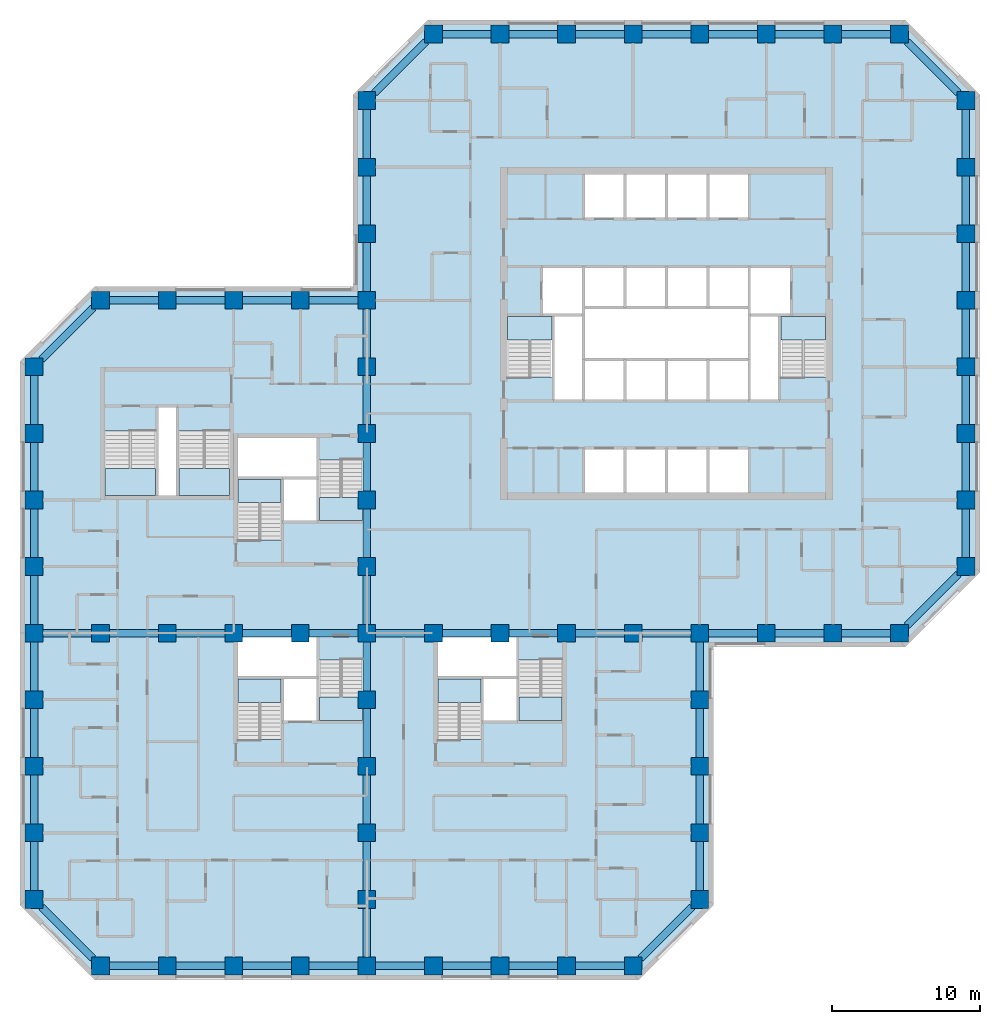
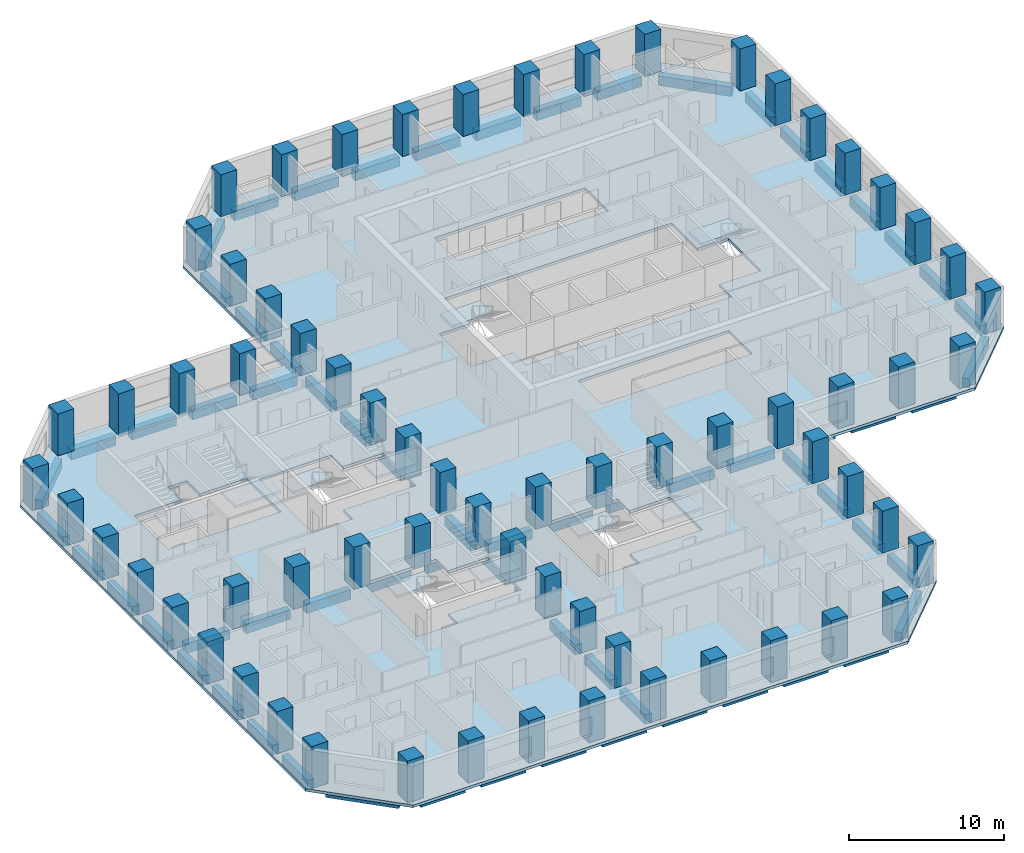
# One storey, part 1 of 12: 70 beams, 67 columns, 11 slabs, 10 elements without a shape of their own.
"""IFC4 building model written with IfcOpenShell, lengths in metres."""

from ifc_helpers import new_model, si_unit, direction, frame, origin, origin_2d, place, context, subcontext, project, spatial, polyline, rectangle, outline, extrude, material, layer, layer_set, material_profile, profile_set, type_object, element, aggregate, save


model = new_model("IFC4")

# Units and contexts
model_context = context("Model", 3, precision=1e-05, world=origin(), true_north=direction((0.0, 1.0)))
body_context = subcontext(model_context, "Body", "Model", "MODEL_VIEW")
ifc_project = project(units=[si_unit("LENGTHUNIT", "METRE"), si_unit("AREAUNIT", "SQUARE_METRE"), si_unit("VOLUMEUNIT", "CUBIC_METRE"), si_unit("PLANEANGLEUNIT", "RADIAN"), si_unit("MASSUNIT", "GRAM", prefix="KILO")], contexts=[model_context])

# Site, building, storey
site_placement = place(None, origin())
site = spatial("IfcSite", under=ifc_project, at=site_placement, CompositionType="ELEMENT")
building_placement = place(site_placement, origin())
building = spatial("IfcBuilding", under=site, at=building_placement, Name="Quoin Convention Tower", CompositionType="ELEMENT")
storey_placement = place(building_placement, frame((0.0, 0.0, 59.39990234375)))
storey = spatial("IfcBuildingStorey", under=building, at=storey_placement, Name="L15", CompositionType="ELEMENT", Elevation=59.39990234375)

# Columns
ifc_material_1 = material(Name="Concrete C80", Category="concrete")
ifc_material_profile_1 = material_profile(ifc_material_1, rectangle(XDim=1.199951171875, YDim=1.199951171875, at=origin_2d()), Name="RC 1200x1200")
ifc_profile_set_1 = profile_set([ifc_material_profile_1], Name="Concrete C80")
column_type = type_object("IfcColumnType", Name="RC 1200x1200 C80", PredefinedType="COLUMN", material=ifc_profile_set_1)
for number, where, z_axis, x_axis, name in (
    (1, (18.0, 18.0, 0.0), (0.0, 0.0, 1.0), (1.0, 0.0, 0.0), "col-L15-18000_18000"),
    (2, (22.5, 18.0, 0.0), (0.0, 0.0, 1.0), (1.0, 0.0, 0.0), "col-L15-22500_18000"),
    (3, (27.0, 18.0, 0.0), (0.0, 0.0, 1.0), (1.0, 0.0, 0.0), "col-L15-27000_18000"),
    (4, (31.5, 18.0, 0.0), (0.0, 0.0, 1.0), (1.0, 0.0, 0.0), "col-L15-31500_18000"),
    (5, (36.0, 18.0, 0.0), (0.0, 0.0, 1.0), (1.0, 0.0, 0.0), "col-L15-36000_18000"),
    (6, (40.5, 18.0, 0.0), (0.0, 0.0, 1.0), (1.0, 0.0, 0.0), "col-L15-40500_18000"),
    (7, (45.0, 18.0, 0.0), (0.0, 0.0, 1.0), (1.0, 0.0, 0.0), "col-L15-45000_18000"),
    (8, (49.5, 18.0, 0.0), (0.0, 0.0, 1.0), (1.0, 0.0, 0.0), "col-L15-49500_18000"),
    (9, (54.0, 18.0, 0.0), (0.0, 0.0, 1.0), (1.0, 0.0, 0.0), "col-L15-54000_18000"),
    (10, (13.5, 22.5, 0.0), (0.0, 0.0, 1.0), (1.0, 0.0, 0.0), "col-L15-13500_22500"),
    (11, (36.0, 22.5, 0.0), (0.0, 0.0, 1.0), (1.0, 0.0, 0.0), "web-L15-36000_22500"),
    (12, (58.5, 22.5, 0.0), (0.0, 0.0, 1.0), (1.0, 0.0, 0.0), "col-L15-58500_22500"),
    (13, (13.5, 27.0, 0.0), (0.0, 0.0, 1.0), (1.0, 0.0, 0.0), "col-L15-13500_27000"),
    (14, (36.0, 27.0, 0.0), (0.0, 0.0, 1.0), (1.0, 0.0, 0.0), "web-L15-36000_27000"),
    (15, (58.5, 27.0, 0.0), (0.0, 0.0, 1.0), (1.0, 0.0, 0.0), "col-L15-58500_27000"),
    (16, (13.5, 31.5, 0.0), (0.0, 0.0, 1.0), (1.0, 0.0, 0.0), "col-L15-13500_31500"),
    (17, (36.0, 31.5, 0.0), (0.0, 0.0, 1.0), (1.0, 0.0, 0.0), "web-L15-36000_31500"),
    (18, (58.5, 31.5, 0.0), (0.0, 0.0, 1.0), (1.0, 0.0, 0.0), "col-L15-58500_31500"),
    (19, (13.5, 36.0, 0.0), (0.0, 0.0, 1.0), (1.0, 0.0, 0.0), "col-L15-13500_36000"),
    (20, (36.0, 36.0, 0.0), (0.0, 0.0, 1.0), (1.0, 0.0, 0.0), "web-L15-36000_36000"),
    (21, (58.5, 36.0, 0.0), (0.0, 0.0, 1.0), (1.0, 0.0, 0.0), "col-L15-58500_36000"),
    (22, (13.5, 40.5, 0.0), (0.0, 0.0, 1.0), (1.0, 0.0, 0.0), "col-L15-13500_40500"),
    (23, (18.0, 40.5, 0.0), (0.0, 0.0, 1.0), (1.0, 0.0, 0.0), "web-L15-18000_40500"),
    (24, (22.5, 40.5, 0.0), (0.0, 0.0, 1.0), (1.0, 0.0, 0.0), "web-L15-22500_40500"),
    (25, (27.0, 40.5, 0.0), (0.0, 0.0, 1.0), (1.0, 0.0, 0.0), "web-L15-27000_40500"),
    (26, (31.5, 40.5, 0.0), (0.0, 0.0, 1.0), (1.0, 0.0, 0.0), "web-L15-31500_40500"),
    (27, (36.0, 40.5, 0.0), (0.0, 0.0, 1.0), (1.0, 0.0, 0.0), "web-L15-36000_40500"),
    (28, (40.5, 40.5, 0.0), (0.0, 0.0, 1.0), (1.0, 0.0, 0.0), "web-L15-40500_40500"),
    (29, (45.0, 40.5, 0.0), (0.0, 0.0, 1.0), (1.0, 0.0, 0.0), "web-L15-45000_40500"),
    (30, (49.5, 40.5, 0.0), (0.0, 0.0, 1.0), (1.0, 0.0, 0.0), "web-L15-49500_40500"),
    (31, (54.0, 40.5, 0.0), (0.0, 0.0, 1.0), (1.0, 0.0, 0.0), "web-L15-54000_40500"),
    (32, (58.5, 40.5, 0.0), (0.0, 0.0, 1.0), (1.0, 0.0, 0.0), "col-L15-58500_40500"),
    (33, (63.0, 40.5, 0.0), (0.0, 0.0, 1.0), (1.0, 0.0, 0.0), "col-L15-63000_40500"),
    (34, (67.5, 40.5, 0.0), (0.0, 0.0, 1.0), (1.0, 0.0, 0.0), "col-L15-67500_40500"),
    (35, (72.0, 40.5, 0.0), (0.0, 0.0, 1.0), (1.0, 0.0, 0.0), "col-L15-72000_40500"),
    (36, (13.5, 45.0, 0.0), (0.0, 0.0, 1.0), (1.0, 0.0, 0.0), "col-L15-13500_45000"),
    (37, (36.0, 45.0, 0.0), (0.0, 0.0, 1.0), (1.0, 0.0, 0.0), "web-L15-36000_45000"),
    (38, (76.5, 45.0, 0.0), (0.0, 0.0, 1.0), (1.0, 0.0, 0.0), "col-L15-76500_45000"),
    (39, (13.5, 49.5, 0.0), (0.0, 0.0, 1.0), (1.0, 0.0, 0.0), "col-L15-13500_49500"),
    (40, (36.0, 49.5, 0.0), (0.0, 0.0, 1.0), (1.0, 0.0, 0.0), "web-L15-36000_49500"),
    (41, (76.5, 49.5, 0.0), (0.0, 0.0, 1.0), (1.0, 0.0, 0.0), "col-L15-76500_49500"),
    (42, (13.5, 54.0, 0.0), (0.0, 0.0, 1.0), (1.0, 0.0, 0.0), "col-L15-13500_54000"),
    (43, (36.0, 54.0, 0.0), (0.0, 0.0, 1.0), (1.0, 0.0, 0.0), "web-L15-36000_54000"),
    (44, (76.5, 54.0, 0.0), (0.0, 0.0, 1.0), (1.0, 0.0, 0.0), "col-L15-76500_54000"),
    (45, (13.5, 58.5, 0.0), (0.0, 0.0, 1.0), (1.0, 0.0, 0.0), "col-L15-13500_58500"),
    (46, (36.0, 58.5, 0.0), (0.0, 0.0, 1.0), (1.0, 0.0, 0.0), "web-L15-36000_58500"),
    (47, (76.5, 58.5, 0.0), (0.0, 0.0, 1.0), (1.0, 0.0, 0.0), "col-L15-76500_58500"),
    (48, (18.0, 63.0, 0.0), (0.0, 0.0, 1.0), (1.0, 0.0, 0.0), "col-L15-18000_63000"),
    (49, (22.5, 63.0, 0.0), (0.0, 0.0, 1.0), (1.0, 0.0, 0.0), "col-L15-22500_63000"),
    (50, (27.0, 63.0, 0.0), (0.0, 0.0, 1.0), (1.0, 0.0, 0.0), "col-L15-27000_63000"),
    (51, (31.5, 63.0, 0.0), (0.0, 0.0, 1.0), (1.0, 0.0, 0.0), "col-L15-31500_63000"),
    (52, (36.0, 63.0, 0.0), (0.0, 0.0, 1.0), (1.0, 0.0, 0.0), "col-L15-36000_63000"),
    (53, (76.5, 63.0, 0.0), (0.0, 0.0, 1.0), (1.0, 0.0, 0.0), "col-L15-76500_63000"),
    (54, (36.0, 67.5, 0.0), (0.0, 0.0, 1.0), (1.0, 0.0, 0.0), "col-L15-36000_67500"),
    (55, (76.5, 67.5, 0.0), (0.0, 0.0, 1.0), (1.0, 0.0, 0.0), "col-L15-76500_67500"),
    (56, (36.0, 72.0, 0.0), (0.0, 0.0, 1.0), (1.0, 0.0, 0.0), "col-L15-36000_72000"),
    (57, (76.5, 72.0, 0.0), (0.0, 0.0, 1.0), (1.0, 0.0, 0.0), "col-L15-76500_72000"),
    (58, (36.0, 76.5, 0.0), (0.0, 0.0, 1.0), (1.0, 0.0, 0.0), "col-L15-36000_76500"),
    (59, (76.5, 76.5, 0.0), (0.0, 0.0, 1.0), (1.0, 0.0, 0.0), "col-L15-76500_76500"),
    (60, (40.5, 81.0, 0.0), (0.0, 0.0, 1.0), (1.0, 0.0, 0.0), "col-L15-40500_81000"),
    (61, (45.0, 81.0, 0.0), (0.0, 0.0, 1.0), (1.0, 0.0, 0.0), "col-L15-45000_81000"),
    (62, (49.5, 81.0, 0.0), (0.0, 0.0, 1.0), (1.0, 0.0, 0.0), "col-L15-49500_81000"),
    (63, (54.0, 81.0, 0.0), (0.0, 0.0, 1.0), (1.0, 0.0, 0.0), "col-L15-54000_81000"),
    (64, (58.5, 81.0, 0.0), (0.0, 0.0, 1.0), (1.0, 0.0, 0.0), "col-L15-58500_81000"),
    (65, (63.0, 81.0, 0.0), (0.0, 0.0, 1.0), (1.0, 0.0, 0.0), "col-L15-63000_81000"),
    (66, (67.5, 81.0, 0.0), (0.0, 0.0, 1.0), (1.0, 0.0, 0.0), "col-L15-67500_81000"),
    (67, (72.0, 81.0, 0.0), (0.0, 0.0, 1.0), (1.0, 0.0, 0.0), "col-L15-72000_81000"),
):
    element("IfcColumn", number, at=place(storey_placement, frame(where, z_axis=z_axis, x_axis=x_axis)), inside=storey, type_object=column_type, Name=name, PredefinedType="COLUMN", context=body_context, shape_type="SweptSolid", body=[
        extrude(rectangle(XDim=1.199951171875, YDim=1.199951171875, at=origin_2d()), origin(), (0.0, 0.0, 1.0), 3.300048828125),
    ])

# Beams
ifc_material_profile_2 = material_profile(ifc_material_1, rectangle(XDim=0.5, YDim=0.75, at=origin_2d()), Name="RC 500x750")
ifc_profile_set_2 = profile_set([ifc_material_profile_2], Name="Concrete C80")
beam_type = type_object("IfcBeamType", Name="RC 500x750 C80", PredefinedType="SPANDREL", material=ifc_profile_set_2)
beam_1_placement = place(storey_placement, frame((14.01513671875, 21.98486328125, -0.594970703125), z_axis=(0.707106781187, -0.707106781187, 0.0), x_axis=(0.707106781187, 0.707106781187, 0.0)))
element("IfcBeam", 68, at=beam_1_placement, inside=storey, type_object=beam_type, Name="spd-L15-13500_22500-18000_18000", PredefinedType="SPANDREL", context=body_context, shape_type="SweptSolid", body=[
    extrude(rectangle(XDim=0.5, YDim=0.75, at=origin_2d()), origin(), (0.0, 0.0, 1.0), 4.906982421875),
])
for number, where, z_axis, x_axis, name in (
    (69, (18.60009765625, 18.0, -0.594970703125), (1.0, 0.0, 0.0), (0.0, 1.0, 0.0), "spd-L15-18000_18000-22500_18000"),
    (70, (23.10009765625, 18.0, -0.594970703125), (1.0, 0.0, 0.0), (0.0, 1.0, 0.0), "spd-L15-22500_18000-27000_18000"),
    (71, (27.60009765625, 18.0, -0.594970703125), (1.0, 0.0, 0.0), (0.0, 1.0, 0.0), "spd-L15-27000_18000-31500_18000"),
    (72, (32.10009765625, 18.0, -0.594970703125), (1.0, 0.0, 0.0), (0.0, 1.0, 0.0), "spd-L15-31500_18000-36000_18000"),
    (73, (36.60009765625, 18.0, -0.594970703125), (1.0, 0.0, 0.0), (0.0, 1.0, 0.0), "spd-L15-36000_18000-40500_18000"),
    (74, (41.10009765625, 18.0, -0.594970703125), (1.0, 0.0, 0.0), (0.0, 1.0, 0.0), "spd-L15-40500_18000-45000_18000"),
    (75, (45.60009765625, 18.0, -0.594970703125), (1.0, 0.0, 0.0), (0.0, 1.0, 0.0), "spd-L15-45000_18000-49500_18000"),
    (76, (50.10009765625, 18.0, -0.594970703125), (1.0, 0.0, 0.0), (0.0, 1.0, 0.0), "spd-L15-49500_18000-54000_18000"),
):
    element("IfcBeam", number, at=place(storey_placement, frame(where, z_axis=z_axis, x_axis=x_axis)), inside=storey, type_object=beam_type, Name=name, PredefinedType="SPANDREL", context=body_context, shape_type="SweptSolid", body=[
        extrude(rectangle(XDim=0.5, YDim=0.75, at=origin_2d()), origin(), (0.0, 0.0, 1.0), 3.2998046875),
    ])
beam_2_placement = place(storey_placement, frame((54.51513671875, 18.51513671875, -0.594970703125), z_axis=(0.707106781187, 0.707106781187, 0.0), x_axis=(-0.707106781187, 0.707106781187, 0.0)))
element("IfcBeam", 77, at=beam_2_placement, inside=storey, type_object=beam_type, Name="spd-L15-54000_18000-58500_22500", PredefinedType="SPANDREL", context=body_context, shape_type="SweptSolid", body=[
    extrude(rectangle(XDim=0.5, YDim=0.75, at=origin_2d()), origin(), (0.0, 0.0, 1.0), 4.906982421875),
])
for number, where, z_axis, x_axis, name in (
    (78, (58.5, 23.10009765625, -0.594970703125), (0.0, 1.0, 0.0), (-1.0, 0.0, 0.0), "spd-L15-58500_22500-58500_27000"),
    (79, (58.5, 27.60009765625, -0.594970703125), (0.0, 1.0, 0.0), (-1.0, 0.0, 0.0), "spd-L15-58500_27000-58500_31500"),
    (80, (58.5, 32.10009765625, -0.594970703125), (0.0, 1.0, 0.0), (-1.0, 0.0, 0.0), "spd-L15-58500_31500-58500_36000"),
    (81, (58.5, 36.60009765625, -0.594970703125), (0.0, 1.0, 0.0), (-1.0, 0.0, 0.0), "spd-L15-58500_36000-58500_40500"),
    (82, (59.10009765625, 40.5, -0.594970703125), (1.0, 0.0, 0.0), (0.0, 1.0, 0.0), "spd-L15-58500_40500-63000_40500"),
    (83, (63.60009765625, 40.5, -0.594970703125), (1.0, 0.0, 0.0), (0.0, 1.0, 0.0), "spd-L15-63000_40500-67500_40500"),
    (84, (68.10009765625, 40.5, -0.594970703125), (1.0, 0.0, 0.0), (0.0, 1.0, 0.0), "spd-L15-67500_40500-72000_40500"),
):
    element("IfcBeam", number, at=place(storey_placement, frame(where, z_axis=z_axis, x_axis=x_axis)), inside=storey, type_object=beam_type, Name=name, PredefinedType="SPANDREL", context=body_context, shape_type="SweptSolid", body=[
        extrude(rectangle(XDim=0.5, YDim=0.75, at=origin_2d()), origin(), (0.0, 0.0, 1.0), 3.2998046875),
    ])
beam_3_placement = place(storey_placement, frame((72.51513671875, 41.01513671875, -0.594970703125), z_axis=(0.707106781187, 0.707106781187, 0.0), x_axis=(-0.707106781187, 0.707106781187, 0.0)))
element("IfcBeam", 85, at=beam_3_placement, inside=storey, type_object=beam_type, Name="spd-L15-72000_40500-76500_45000", PredefinedType="SPANDREL", context=body_context, shape_type="SweptSolid", body=[
    extrude(rectangle(XDim=0.5, YDim=0.75, at=origin_2d()), origin(), (0.0, 0.0, 1.0), 4.906982421875),
])
for number, where, z_axis, x_axis, name in (
    (86, (76.5, 45.60009765625, -0.594970703125), (0.0, 1.0, 0.0), (-1.0, 0.0, 0.0), "spd-L15-76500_45000-76500_49500"),
    (87, (76.5, 50.10009765625, -0.594970703125), (0.0, 1.0, 0.0), (-1.0, 0.0, 0.0), "spd-L15-76500_49500-76500_54000"),
    (88, (76.5, 54.60009765625, -0.594970703125), (0.0, 1.0, 0.0), (-1.0, 0.0, 0.0), "spd-L15-76500_54000-76500_58500"),
    (89, (76.5, 59.10009765625, -0.594970703125), (0.0, 1.0, 0.0), (-1.0, 0.0, 0.0), "spd-L15-76500_58500-76500_63000"),
    (90, (76.5, 63.60009765625, -0.594970703125), (0.0, 1.0, 0.0), (-1.0, 0.0, 0.0), "spd-L15-76500_63000-76500_67500"),
    (91, (76.5, 68.10009765625, -0.594970703125), (0.0, 1.0, 0.0), (-1.0, 0.0, 0.0), "spd-L15-76500_67500-76500_72000"),
    (92, (76.5, 72.60009765625, -0.594970703125), (0.0, 1.0, 0.0), (-1.0, 0.0, 0.0), "spd-L15-76500_72000-76500_76500"),
):
    element("IfcBeam", number, at=place(storey_placement, frame(where, z_axis=z_axis, x_axis=x_axis)), inside=storey, type_object=beam_type, Name=name, PredefinedType="SPANDREL", context=body_context, shape_type="SweptSolid", body=[
        extrude(rectangle(XDim=0.5, YDim=0.75, at=origin_2d()), origin(), (0.0, 0.0, 1.0), 3.2998046875),
    ])
beam_4_placement = place(storey_placement, frame((75.98486328125, 77.01513671875, -0.594970703125), z_axis=(-0.707106781187, 0.707106781187, 0.0), x_axis=(-0.707106781187, -0.707106781187, 0.0)))
element("IfcBeam", 93, at=beam_4_placement, inside=storey, type_object=beam_type, Name="spd-L15-76500_76500-72000_81000", PredefinedType="SPANDREL", context=body_context, shape_type="SweptSolid", body=[
    extrude(rectangle(XDim=0.5, YDim=0.75, at=origin_2d()), origin(), (0.0, 0.0, 1.0), 4.906982421875),
])
for number, where, z_axis, x_axis, name in (
    (94, (71.39990234375, 81.0, -0.594970703125), (-1.0, 0.0, 0.0), (0.0, -1.0, 0.0), "spd-L15-72000_81000-67500_81000"),
    (95, (66.89990234375, 81.0, -0.594970703125), (-1.0, 0.0, 0.0), (0.0, -1.0, 0.0), "spd-L15-67500_81000-63000_81000"),
    (96, (62.39990234375, 81.0, -0.594970703125), (-1.0, 0.0, 0.0), (0.0, -1.0, 0.0), "spd-L15-63000_81000-58500_81000"),
    (97, (57.89990234375, 81.0, -0.594970703125), (-1.0, 0.0, 0.0), (0.0, -1.0, 0.0), "spd-L15-58500_81000-54000_81000"),
    (98, (53.39990234375, 81.0, -0.594970703125), (-1.0, 0.0, 0.0), (0.0, -1.0, 0.0), "spd-L15-54000_81000-49500_81000"),
    (99, (48.89990234375, 81.0, -0.594970703125), (-1.0, 0.0, 0.0), (0.0, -1.0, 0.0), "spd-L15-49500_81000-45000_81000"),
    (100, (44.39990234375, 81.0, -0.594970703125), (-1.0, 0.0, 0.0), (0.0, -1.0, 0.0), "spd-L15-45000_81000-40500_81000"),
):
    element("IfcBeam", number, at=place(storey_placement, frame(where, z_axis=z_axis, x_axis=x_axis)), inside=storey, type_object=beam_type, Name=name, PredefinedType="SPANDREL", context=body_context, shape_type="SweptSolid", body=[
        extrude(rectangle(XDim=0.5, YDim=0.75, at=origin_2d()), origin(), (0.0, 0.0, 1.0), 3.2998046875),
    ])
beam_5_placement = place(storey_placement, frame((39.98486328125, 80.48486328125, -0.594970703125), z_axis=(-0.707106781187, -0.707106781187, 0.0), x_axis=(0.707106781187, -0.707106781187, 0.0)))
element("IfcBeam", 101, at=beam_5_placement, inside=storey, type_object=beam_type, Name="spd-L15-40500_81000-36000_76500", PredefinedType="SPANDREL", context=body_context, shape_type="SweptSolid", body=[
    extrude(rectangle(XDim=0.5, YDim=0.75, at=origin_2d()), origin(), (0.0, 0.0, 1.0), 4.906982421875),
])
for number, where, z_axis, x_axis, name in (
    (102, (36.0, 75.89990234375, -0.594970703125), (0.0, -1.0, 0.0), (1.0, 0.0, 0.0), "spd-L15-36000_76500-36000_72000"),
    (103, (36.0, 71.39990234375, -0.594970703125), (0.0, -1.0, 0.0), (1.0, 0.0, 0.0), "spd-L15-36000_72000-36000_67500"),
    (104, (36.0, 66.89990234375, -0.594970703125), (0.0, -1.0, 0.0), (1.0, 0.0, 0.0), "spd-L15-36000_67500-36000_63000"),
    (105, (35.39990234375, 63.0, -0.594970703125), (-1.0, 0.0, 0.0), (0.0, -1.0, 0.0), "spd-L15-36000_63000-31500_63000"),
    (106, (30.89990234375, 63.0, -0.594970703125), (-1.0, 0.0, 0.0), (0.0, -1.0, 0.0), "spd-L15-31500_63000-27000_63000"),
    (107, (26.39990234375, 63.0, -0.594970703125), (-1.0, 0.0, 0.0), (0.0, -1.0, 0.0), "spd-L15-27000_63000-22500_63000"),
    (108, (21.89990234375, 63.0, -0.594970703125), (-1.0, 0.0, 0.0), (0.0, -1.0, 0.0), "spd-L15-22500_63000-18000_63000"),
):
    element("IfcBeam", number, at=place(storey_placement, frame(where, z_axis=z_axis, x_axis=x_axis)), inside=storey, type_object=beam_type, Name=name, PredefinedType="SPANDREL", context=body_context, shape_type="SweptSolid", body=[
        extrude(rectangle(XDim=0.5, YDim=0.75, at=origin_2d()), origin(), (0.0, 0.0, 1.0), 3.2998046875),
    ])
beam_6_placement = place(storey_placement, frame((17.48486328125, 62.48486328125, -0.594970703125), z_axis=(-0.707106781187, -0.707106781187, 0.0), x_axis=(0.707106781187, -0.707106781187, 0.0)))
element("IfcBeam", 109, at=beam_6_placement, inside=storey, type_object=beam_type, Name="spd-L15-18000_63000-13500_58500", PredefinedType="SPANDREL", context=body_context, shape_type="SweptSolid", body=[
    extrude(rectangle(XDim=0.5, YDim=0.75, at=origin_2d()), origin(), (0.0, 0.0, 1.0), 4.906982421875),
])
for number, where, z_axis, x_axis, name in (
    (110, (13.5, 57.89990234375, -0.594970703125), (0.0, -1.0, 0.0), (1.0, 0.0, 0.0), "spd-L15-13500_58500-13500_54000"),
    (111, (13.5, 53.39990234375, -0.594970703125), (0.0, -1.0, 0.0), (1.0, 0.0, 0.0), "spd-L15-13500_54000-13500_49500"),
    (112, (13.5, 48.89990234375, -0.594970703125), (0.0, -1.0, 0.0), (1.0, 0.0, 0.0), "spd-L15-13500_49500-13500_45000"),
    (113, (13.5, 44.39990234375, -0.594970703125), (0.0, -1.0, 0.0), (1.0, 0.0, 0.0), "spd-L15-13500_45000-13500_40500"),
    (114, (13.5, 39.89990234375, -0.594970703125), (0.0, -1.0, 0.0), (1.0, 0.0, 0.0), "spd-L15-13500_40500-13500_36000"),
    (115, (13.5, 35.39990234375, -0.594970703125), (0.0, -1.0, 0.0), (1.0, 0.0, 0.0), "spd-L15-13500_36000-13500_31500"),
    (116, (13.5, 30.89990234375, -0.594970703125), (0.0, -1.0, 0.0), (1.0, 0.0, 0.0), "spd-L15-13500_31500-13500_27000"),
    (117, (13.5, 26.39990234375, -0.594970703125), (0.0, -1.0, 0.0), (1.0, 0.0, 0.0), "spd-L15-13500_27000-13500_22500"),
    (118, (14.10009765625, 40.5, -0.594970703125), (1.0, 0.0, 0.0), (0.0, 1.0, 0.0), "spd-L15-13500_40500-18000_40500"),
    (119, (18.60009765625, 40.5, -0.594970703125), (1.0, 0.0, 0.0), (0.0, 1.0, 0.0), "spd-L15-18000_40500-22500_40500"),
    (120, (23.10009765625, 40.5, -0.594970703125), (1.0, 0.0, 0.0), (0.0, 1.0, 0.0), "spd-L15-22500_40500-27000_40500"),
    (121, (27.60009765625, 40.5, -0.594970703125), (1.0, 0.0, 0.0), (0.0, 1.0, 0.0), "spd-L15-27000_40500-31500_40500"),
    (122, (32.10009765625, 40.5, -0.594970703125), (1.0, 0.0, 0.0), (0.0, 1.0, 0.0), "spd-L15-31500_40500-36000_40500"),
    (123, (36.60009765625, 40.5, -0.594970703125), (1.0, 0.0, 0.0), (0.0, 1.0, 0.0), "spd-L15-36000_40500-40500_40500"),
    (124, (41.10009765625, 40.5, -0.594970703125), (1.0, 0.0, 0.0), (0.0, 1.0, 0.0), "spd-L15-40500_40500-45000_40500"),
    (125, (45.60009765625, 40.5, -0.594970703125), (1.0, 0.0, 0.0), (0.0, 1.0, 0.0), "spd-L15-45000_40500-49500_40500"),
    (126, (50.10009765625, 40.5, -0.594970703125), (1.0, 0.0, 0.0), (0.0, 1.0, 0.0), "spd-L15-49500_40500-54000_40500"),
    (127, (54.60009765625, 40.5, -0.594970703125), (1.0, 0.0, 0.0), (0.0, 1.0, 0.0), "spd-L15-54000_40500-58500_40500"),
    (128, (36.0, 18.60009765625, -0.594970703125), (0.0, 1.0, 0.0), (-1.0, 0.0, 0.0), "spd-L15-36000_18000-36000_22500"),
    (129, (36.0, 23.10009765625, -0.594970703125), (0.0, 1.0, 0.0), (-1.0, 0.0, 0.0), "spd-L15-36000_22500-36000_27000"),
    (130, (36.0, 27.60009765625, -0.594970703125), (0.0, 1.0, 0.0), (-1.0, 0.0, 0.0), "spd-L15-36000_27000-36000_31500"),
    (131, (36.0, 32.10009765625, -0.594970703125), (0.0, 1.0, 0.0), (-1.0, 0.0, 0.0), "spd-L15-36000_31500-36000_36000"),
    (132, (36.0, 36.60009765625, -0.594970703125), (0.0, 1.0, 0.0), (-1.0, 0.0, 0.0), "spd-L15-36000_36000-36000_40500"),
    (133, (36.0, 41.10009765625, -0.594970703125), (0.0, 1.0, 0.0), (-1.0, 0.0, 0.0), "spd-L15-36000_40500-36000_45000"),
    (134, (36.0, 45.60009765625, -0.594970703125), (0.0, 1.0, 0.0), (-1.0, 0.0, 0.0), "spd-L15-36000_45000-36000_49500"),
    (135, (36.0, 50.10009765625, -0.594970703125), (0.0, 1.0, 0.0), (-1.0, 0.0, 0.0), "spd-L15-36000_49500-36000_54000"),
    (136, (36.0, 54.60009765625, -0.594970703125), (0.0, 1.0, 0.0), (-1.0, 0.0, 0.0), "spd-L15-36000_54000-36000_58500"),
    (137, (36.0, 59.10009765625, -0.594970703125), (0.0, 1.0, 0.0), (-1.0, 0.0, 0.0), "spd-L15-36000_58500-36000_63000"),
):
    element("IfcBeam", number, at=place(storey_placement, frame(where, z_axis=z_axis, x_axis=x_axis)), inside=storey, type_object=beam_type, Name=name, PredefinedType="SPANDREL", context=body_context, shape_type="SweptSolid", body=[
        extrude(rectangle(XDim=0.5, YDim=0.75, at=origin_2d()), origin(), (0.0, 0.0, 1.0), 3.2998046875),
    ])

# Slab
ifc_material_2 = material(Name="Concrete C50", Category="concrete")
ifc_layer_1 = layer(ifc_material_2, 0.219970703125)
ifc_layer_set_1 = layer_set([ifc_layer_1], Name="Concrete C50")
slab_type_1 = type_object("IfcSlabType", Name="RC SLAB 220 C50", PredefinedType="FLOOR", material=ifc_layer_set_1)
slab_1_placement = place(storey_placement, frame((0.0, 0.0, -0.219970703125)))
element("IfcSlab", 138, at=slab_1_placement, inside=storey, type_object=slab_type_1, Name="slb-L15", PredefinedType="FLOOR", context=body_context, shape_type="SweptSolid", body=[
    extrude(outline(polyline([(12.550048828125, 58.8935546875), (17.6064453125, 63.949951171875), (35.050048828125, 63.949951171875), (35.050048828125, 76.8935546875), (40.1064453125, 81.949951171875), (72.3935546875, 81.949951171875), (77.449951171875, 76.8935546875), (77.449951171875, 44.6064453125), (72.3935546875, 39.550048828125), (59.449951171875, 39.550048828125), (59.449951171875, 22.1064453125), (54.3935546875, 17.050048828125), (17.6064453125, 17.050048828125), (12.550048828125, 22.1064453125), (12.550048828125, 58.8935546875)]), holes=[polyline([(30.300048828125, 33.300537109375), (30.300048828125, 34.5), (32.699951171875, 34.5), (35.699951171875, 34.5), (35.699951171875, 38.699462890625), (32.699951171875, 38.699462890625), (32.699951171875, 40.199951171875), (27.300048828125, 40.199951171875), (27.300048828125, 37.5), (27.300048828125, 33.300537109375), (30.300048828125, 33.300537109375)]), polyline([(43.800048828125, 33.300537109375), (43.800048828125, 34.5), (46.199951171875, 34.5), (49.199951171875, 34.5), (49.199951171875, 38.699462890625), (46.199951171875, 38.699462890625), (46.199951171875, 40.199951171875), (40.800048828125, 40.199951171875), (40.800048828125, 37.5), (40.800048828125, 33.300537109375), (43.800048828125, 33.300537109375)]), polyline([(27.300048828125, 46.800537109375), (30.300048828125, 46.800537109375), (30.300048828125, 48.0), (32.699951171875, 48.0), (35.699951171875, 48.0), (35.699951171875, 52.199462890625), (32.699951171875, 52.199462890625), (32.699951171875, 53.699951171875), (27.300048828125, 53.699951171875), (27.300048828125, 51.0), (27.300048828125, 46.800537109375)]), polyline([(53.449951171875, 50.0), (56.25, 50.0), (59.050048828125, 50.0), (61.85009765625, 50.0), (61.85009765625, 53.0), (59.050048828125, 53.0), (56.25, 53.0), (53.449951171875, 53.0), (50.64990234375, 53.0), (50.64990234375, 50.0), (53.449951171875, 50.0)]), polyline([(23.199951171875, 49.800048828125), (26.699951171875, 49.800048828125), (26.699951171875, 54.1494140625), (23.199951171875, 54.1494140625), (23.199951171875, 55.85009765625), (21.800048828125, 55.85009765625), (21.800048828125, 54.1494140625), (18.300048828125, 54.1494140625), (18.300048828125, 49.800048828125), (21.800048828125, 49.800048828125), (23.199951171875, 49.800048828125)]), polyline([(45.5, 57.800537109375), (48.60009765625, 57.800537109375), (48.60009765625, 56.199951171875), (50.64990234375, 56.199951171875), (53.449951171875, 56.199951171875), (56.25, 56.199951171875), (59.050048828125, 56.199951171875), (61.85009765625, 56.199951171875), (63.89990234375, 56.199951171875), (63.89990234375, 57.800537109375), (67.0, 57.800537109375), (67.0, 62.0), (64.699951171875, 62.0), (64.699951171875, 65.300048828125), (61.85009765625, 65.300048828125), (59.050048828125, 65.300048828125), (56.25, 65.300048828125), (53.449951171875, 65.300048828125), (50.64990234375, 65.300048828125), (47.800048828125, 65.300048828125), (47.800048828125, 62.0), (45.5, 62.0), (45.5, 57.800537109375)]), polyline([(59.050048828125, 68.5), (61.85009765625, 68.5), (61.85009765625, 71.5), (59.050048828125, 71.5), (56.25, 71.5), (53.449951171875, 71.5), (50.64990234375, 71.5), (50.64990234375, 68.5), (53.449951171875, 68.5), (56.25, 68.5), (59.050048828125, 68.5)])]), origin(), (0.0, 0.0, 1.0), 0.219970703125),
])

# Stair, slab
ifc_material_3 = material(Name="Concrete C40", Category="concrete")
stair_type_1 = type_object("IfcStairType", Name="Exit stair two-flight 1350", PredefinedType="HALF_TURN_STAIR", material=ifc_material_3)
stair_1_placement = place(storey_placement, origin())
stair_1 = element("IfcStair", 139, at=stair_1_placement, inside=storey, type_object=stair_type_1, Name="SD1 L15", PredefinedType="HALF_TURN_STAIR")
ifc_layer_2 = layer(ifc_material_3, 0.199951171875)
ifc_layer_set_2 = layer_set([ifc_layer_2], Name="Concrete C40")
slab_type_2 = type_object("IfcSlabType", Name="Stair landing 200", PredefinedType="LANDING", material=ifc_layer_set_2)
slab_2_placement = place(storey_placement, frame((0.0, 0.0, 1.4501953125)))
slab_2 = element("IfcSlab", 140, at=slab_2_placement, type_object=slab_type_2, Name="ST1 landing 1", PredefinedType="LANDING", context=body_context, shape_type="SweptSolid", body=[
    extrude(outline(polyline([(45.5, 60.320068359375), (48.5, 60.320068359375), (48.5, 61.89990234375), (45.5, 61.89990234375), (45.5, 60.320068359375)])), origin(), (0.0, 0.0, 1.0), 0.199951171875),
])
aggregate(stair_1, [slab_2])

stair_2_placement = place(storey_placement, origin())
stair_2 = element("IfcStair", 141, at=stair_2_placement, inside=storey, type_object=stair_type_1, Name="SD2 L15", PredefinedType="HALF_TURN_STAIR")
slab_3_placement = place(storey_placement, frame((0.0, 0.0, 1.4501953125)))
slab_3 = element("IfcSlab", 142, at=slab_3_placement, type_object=slab_type_2, Name="ST2 landing 1", PredefinedType="LANDING", context=body_context, shape_type="SweptSolid", body=[
    extrude(outline(polyline([(64.0, 60.320068359375), (67.0, 60.320068359375), (67.0, 61.89990234375), (64.0, 61.89990234375), (64.0, 60.320068359375)])), origin(), (0.0, 0.0, 1.0), 0.199951171875),
])
aggregate(stair_2, [slab_3])

stair_3_placement = place(storey_placement, origin())
stair_3 = element("IfcStair", 143, at=stair_3_placement, inside=storey, type_object=stair_type_1, Name="SD3 L15", PredefinedType="HALF_TURN_STAIR")
slab_4_placement = place(storey_placement, frame((0.0, 0.0, 1.4501953125)))
slab_4 = element("IfcSlab", 144, at=slab_4_placement, type_object=slab_type_2, Name="ST3 landing 1", PredefinedType="LANDING", context=body_context, shape_type="SweptSolid", body=[
    extrude(outline(polyline([(27.300048828125, 49.320068359375), (30.199951171875, 49.320068359375), (30.199951171875, 50.89990234375), (27.300048828125, 50.89990234375), (27.300048828125, 49.320068359375)])), origin(), (0.0, 0.0, 1.0), 0.199951171875),
])
aggregate(stair_3, [slab_4])

stair_4_placement = place(storey_placement, origin())
stair_4 = element("IfcStair", 145, at=stair_4_placement, inside=storey, type_object=stair_type_1, Name="SD4 L15", PredefinedType="HALF_TURN_STAIR")
slab_5_placement = place(storey_placement, frame((0.0, 0.0, 1.4501953125)))
slab_5 = element("IfcSlab", 146, at=slab_5_placement, type_object=slab_type_2, Name="ST4 landing 1", PredefinedType="LANDING", context=body_context, shape_type="SweptSolid", body=[
    extrude(outline(polyline([(35.699951171875, 49.679931640625), (32.800048828125, 49.679931640625), (32.800048828125, 48.10009765625), (35.699951171875, 48.10009765625), (35.699951171875, 49.679931640625)])), origin(), (0.0, 0.0, 1.0), 0.199951171875),
])
aggregate(stair_4, [slab_5])

stair_5_placement = place(storey_placement, origin())
stair_5 = element("IfcStair", 147, at=stair_5_placement, inside=storey, type_object=stair_type_1, Name="SD5 L15", PredefinedType="HALF_TURN_STAIR")
slab_6_placement = place(storey_placement, frame((0.0, 0.0, 1.4501953125)))
slab_6 = element("IfcSlab", 148, at=slab_6_placement, type_object=slab_type_2, Name="ST5 landing 1", PredefinedType="LANDING", context=body_context, shape_type="SweptSolid", body=[
    extrude(outline(polyline([(40.800048828125, 35.820068359375), (43.699951171875, 35.820068359375), (43.699951171875, 37.39990234375), (40.800048828125, 37.39990234375), (40.800048828125, 35.820068359375)])), origin(), (0.0, 0.0, 1.0), 0.199951171875),
])
aggregate(stair_5, [slab_6])

stair_6_placement = place(storey_placement, origin())
stair_6 = element("IfcStair", 149, at=stair_6_placement, inside=storey, type_object=stair_type_1, Name="SD6 L15", PredefinedType="HALF_TURN_STAIR")
slab_7_placement = place(storey_placement, frame((0.0, 0.0, 1.4501953125)))
slab_7 = element("IfcSlab", 150, at=slab_7_placement, type_object=slab_type_2, Name="ST6 landing 1", PredefinedType="LANDING", context=body_context, shape_type="SweptSolid", body=[
    extrude(outline(polyline([(49.199951171875, 36.179931640625), (46.300048828125, 36.179931640625), (46.300048828125, 34.60009765625), (49.199951171875, 34.60009765625), (49.199951171875, 36.179931640625)])), origin(), (0.0, 0.0, 1.0), 0.199951171875),
])
aggregate(stair_6, [slab_7])

stair_7_placement = place(storey_placement, origin())
stair_7 = element("IfcStair", 151, at=stair_7_placement, inside=storey, type_object=stair_type_1, Name="SD7 L15", PredefinedType="HALF_TURN_STAIR")
slab_8_placement = place(storey_placement, frame((0.0, 0.0, 1.4501953125)))
slab_8 = element("IfcSlab", 152, at=slab_8_placement, type_object=slab_type_2, Name="ST7 landing 1", PredefinedType="LANDING", context=body_context, shape_type="SweptSolid", body=[
    extrude(outline(polyline([(27.300048828125, 35.820068359375), (30.199951171875, 35.820068359375), (30.199951171875, 37.39990234375), (27.300048828125, 37.39990234375), (27.300048828125, 35.820068359375)])), origin(), (0.0, 0.0, 1.0), 0.199951171875),
])
aggregate(stair_7, [slab_8])

stair_8_placement = place(storey_placement, origin())
stair_8 = element("IfcStair", 153, at=stair_8_placement, inside=storey, type_object=stair_type_1, Name="SD8 L15", PredefinedType="HALF_TURN_STAIR")
slab_9_placement = place(storey_placement, frame((0.0, 0.0, 1.4501953125)))
slab_9 = element("IfcSlab", 154, at=slab_9_placement, type_object=slab_type_2, Name="ST8 landing 1", PredefinedType="LANDING", context=body_context, shape_type="SweptSolid", body=[
    extrude(outline(polyline([(35.699951171875, 36.179931640625), (32.800048828125, 36.179931640625), (32.800048828125, 34.60009765625), (35.699951171875, 34.60009765625), (35.699951171875, 36.179931640625)])), origin(), (0.0, 0.0, 1.0), 0.199951171875),
])
aggregate(stair_8, [slab_9])

stair_type_2 = type_object("IfcStairType", Name="Exit stair two-flight 1600", PredefinedType="HALF_TURN_STAIR", material=ifc_material_3)
stair_9_placement = place(storey_placement, origin())
stair_9 = element("IfcStair", 155, at=stair_9_placement, inside=storey, type_object=stair_type_2, Name="SD11 L15", PredefinedType="HALF_TURN_STAIR")
slab_10_placement = place(storey_placement, frame((0.0, 0.0, 1.4501953125)))
slab_10 = element("IfcSlab", 156, at=slab_10_placement, type_object=slab_type_2, Name="ST11 landing 1", PredefinedType="LANDING", context=body_context, shape_type="SweptSolid", body=[
    extrude(outline(polyline([(21.699951171875, 51.6298828125), (18.300048828125, 51.6298828125), (18.300048828125, 49.800048828125), (21.699951171875, 49.800048828125), (21.699951171875, 51.6298828125)])), origin(), (0.0, 0.0, 1.0), 0.199951171875),
])
aggregate(stair_9, [slab_10])

stair_10_placement = place(storey_placement, origin())
stair_10 = element("IfcStair", 157, at=stair_10_placement, inside=storey, type_object=stair_type_2, Name="SD12 L15", PredefinedType="HALF_TURN_STAIR")
slab_11_placement = place(storey_placement, frame((0.0, 0.0, 1.4501953125)))
slab_11 = element("IfcSlab", 158, at=slab_11_placement, type_object=slab_type_2, Name="ST12 landing 1", PredefinedType="LANDING", context=body_context, shape_type="SweptSolid", body=[
    extrude(outline(polyline([(26.699951171875, 51.6298828125), (23.300048828125, 51.6298828125), (23.300048828125, 49.800048828125), (26.699951171875, 49.800048828125), (26.699951171875, 51.6298828125)])), origin(), (0.0, 0.0, 1.0), 0.199951171875),
])
aggregate(stair_10, [slab_11])

save(model, "model.ifc")
